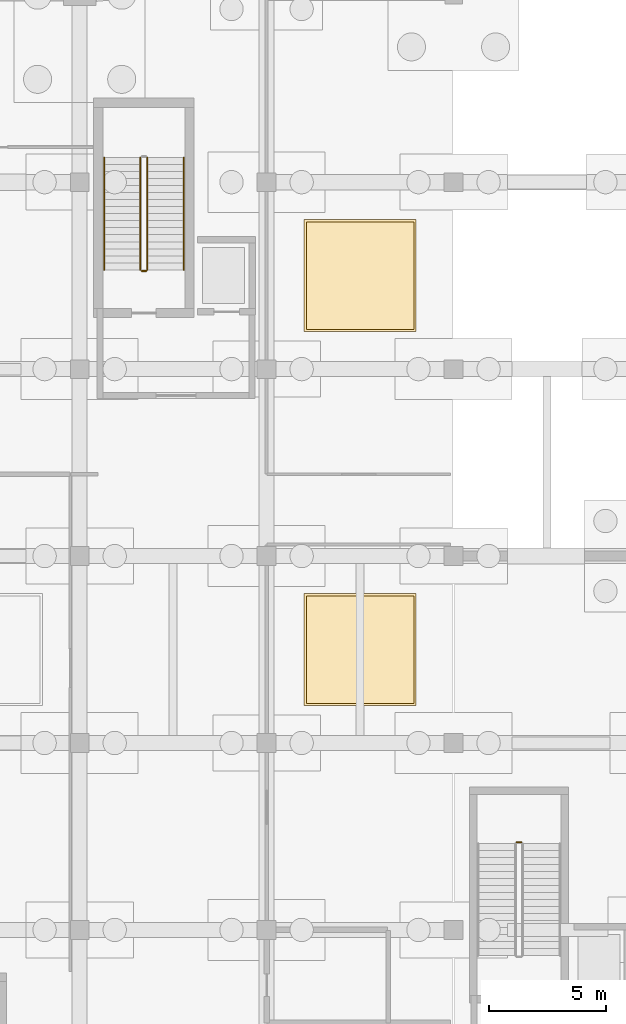
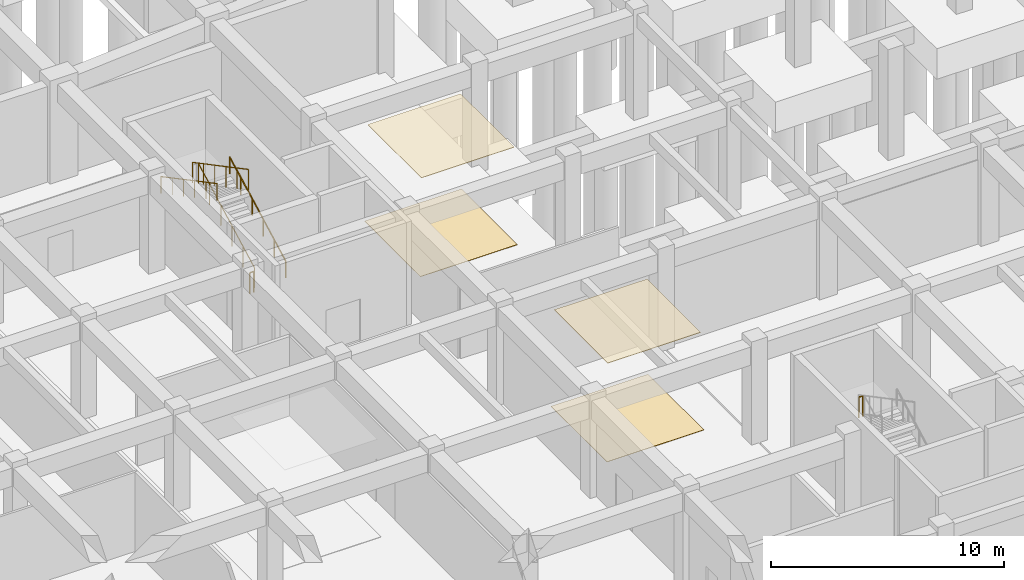
# One storey, part 36 of 45: 6 railings, 4 coverings.
"""IFC4 building model written with IfcOpenShell, lengths in metres."""

from ifc_helpers import new_model, si_unit, direction, frame, origin, origin_2d, place, context, subcontext, project, spatial, rectangle, circle, extrude, material, layer, layer_set, type_object, element, save


model = new_model("IFC4")

# Units and contexts
model_context = context("Model", 3, precision=1e-05, world=origin(), true_north=direction((0.0, 1.0)))
body_context = subcontext(model_context, "Body", "Model", "MODEL_VIEW")
ifc_project = project(units=[si_unit("LENGTHUNIT", "METRE"), si_unit("AREAUNIT", "SQUARE_METRE"), si_unit("VOLUMEUNIT", "CUBIC_METRE"), si_unit("PLANEANGLEUNIT", "RADIAN"), si_unit("MASSUNIT", "GRAM", prefix="KILO")], contexts=[model_context])

# Site, building, storey
site_placement = place(None, origin())
site = spatial("IfcSite", under=ifc_project, at=site_placement, CompositionType="ELEMENT")
building_placement = place(site_placement, origin())
building = spatial("IfcBuilding", under=site, at=building_placement, Name="Kenh Van Central Station", CompositionType="ELEMENT")
storey_placement = place(building_placement, frame((0.0, 0.0, -5.39990234375)))
storey = spatial("IfcBuildingStorey", under=building, at=storey_placement, Name="B1", CompositionType="ELEMENT", Elevation=-5.39990234375)

# Coverings
ifc_material_1 = material(Name="Perforated acoustic mineral ceiling board")
ifc_layer_1 = layer(ifc_material_1, 0.02490234375, Name="Perforated acoustic mineral ceiling board")
ifc_layer_set_1 = layer_set([ifc_layer_1], Name="Perforated acoustic mineral ceiling board")
covering_type_1 = type_object("IfcCoveringType", Name="COV-CEIL-ACOUST", PredefinedType="CEILING", material=ifc_layer_set_1)
for number, where, z_axis, x_axis, name in (
    (1, (44.0, 36.0, 5.076904296875), (0.0, 0.0, 1.0), (1.0, 0.0, 0.0), "B1 acoustic ceiling panel 005"),
    (2, (44.0, 52.0, 5.076904296875), (0.0, 0.0, 1.0), (1.0, 0.0, 0.0), "B1 acoustic ceiling panel 006"),
):
    element("IfcCovering", number, at=place(storey_placement, frame(where, z_axis=z_axis, x_axis=x_axis)), inside=storey, type_object=covering_type_1, Name=name, PredefinedType="CEILING", context=body_context, shape_type="SweptSolid", body=[
        extrude(rectangle(XDim=4.60009765625, YDim=4.60009765625, at=origin_2d()), origin(), (0.0, 0.0, 1.0), 0.02490234375),
    ])
ifc_material_2 = material(Name="Polished station granite terrazzo", Category="masonry")
ifc_layer_2 = layer(ifc_material_2, 0.02001953125, Name="Polished station granite terrazzo")
ifc_layer_set_2 = layer_set([ifc_layer_2], Name="Polished station granite terrazzo")
covering_type_2 = type_object("IfcCoveringType", Name="COV-FLR-GRANITE", PredefinedType="FLOORING", material=ifc_layer_set_2)
for number, where, z_axis, x_axis, name in (
    (3, (44.0, 36.0, 0.0), (0.0, 0.0, 1.0), (1.0, 0.0, 0.0), "B1 granite floor finish 005"),
    (4, (44.0, 52.0, 0.0), (0.0, 0.0, 1.0), (1.0, 0.0, 0.0), "B1 granite floor finish 006"),
):
    element("IfcCovering", number, at=place(storey_placement, frame(where, z_axis=z_axis, x_axis=x_axis)), inside=storey, type_object=covering_type_2, Name=name, PredefinedType="FLOORING", context=body_context, shape_type="SweptSolid", body=[
        extrude(rectangle(XDim=4.800048828125, YDim=4.800048828125, at=origin_2d()), origin(), (0.0, 0.0, 1.0), 0.02001953125),
    ])

# Railings
ifc_material_3 = material(Name="Champagne anodised aluminium", Category="aluminium")
railing_type_1 = type_object("IfcRailingType", Name="RAIL-CORE-GRD110", PredefinedType="GUARDRAIL", material=ifc_material_3)
railing_1_placement = place(storey_placement, frame((34.89990234375, 52.25, 0.15869140625)))
element("IfcRailing", 5, at=railing_1_placement, inside=storey, type_object=railing_type_1, Name="B1 ST-02 stair guard 1", PredefinedType="GUARDRAIL", context=body_context, shape_type="SweptSolid", body=[
    extrude(circle(Radius=0.02392578125, at=origin_2d()), frame((0.0, 0.0, 1.076171875), z_axis=(0.0, 0.883783542688, 0.467895981682), x_axis=(-1.0, 0.0, 0.0)), (0.0, 0.0, 1.0), 5.43115234375),
    extrude(circle(Radius=0.02099609375, at=origin_2d()), origin(), (0.0, 0.0, 1.0), 1.052001953125),
    extrude(circle(Radius=0.02099609375, at=origin_2d()), frame((0.0, 0.9599609375, 0.50830078125)), (0.0, 0.0, 1.0), 1.052001953125),
    extrude(circle(Radius=0.02099609375, at=origin_2d()), frame((0.0, 1.919921875, 1.0166015625)), (0.0, 0.0, 1.0), 1.052001953125),
    extrude(circle(Radius=0.02099609375, at=origin_2d()), frame((0.0, 2.880126953125, 1.524658203125)), (0.0, 0.0, 1.0), 1.052001953125),
    extrude(circle(Radius=0.02099609375, at=origin_2d()), frame((0.0, 3.840087890625, 2.032958984375)), (0.0, 0.0, 1.0), 1.052001953125),
    extrude(circle(Radius=0.02099609375, at=origin_2d()), frame((0.0, 4.800048828125, 2.541259765625)), (0.0, 0.0, 1.0), 1.052001953125),
])
railing_2_placement = place(storey_placement, frame((34.60009765625, 57.050048828125, 2.858642578125)))
element("IfcRailing", 6, at=railing_2_placement, inside=storey, type_object=railing_type_1, Name="B1 ST-02 stair guard 3", PredefinedType="GUARDRAIL", context=body_context, shape_type="SweptSolid", body=[
    extrude(circle(Radius=0.02392578125, at=origin_2d()), frame((0.0, 0.0, 1.076171875), z_axis=(0.0, -0.883783542688, 0.467895981682), x_axis=(1.0, 0.0, 0.0)), (0.0, 0.0, 1.0), 5.43115234375),
    extrude(circle(Radius=0.02099609375, at=origin_2d()), origin(), (0.0, 0.0, 1.0), 1.052001953125),
    extrude(circle(Radius=0.02099609375, at=origin_2d()), frame((0.0, -0.9599609375, 0.50830078125)), (0.0, 0.0, 1.0), 1.052001953125),
    extrude(circle(Radius=0.02099609375, at=origin_2d()), frame((0.0, -1.919921875, 1.0166015625)), (0.0, 0.0, 1.0), 1.052001953125),
    extrude(circle(Radius=0.02099609375, at=origin_2d()), frame((0.0, -2.880126953125, 1.524658203125)), (0.0, 0.0, 1.0), 1.052001953125),
    extrude(circle(Radius=0.02099609375, at=origin_2d()), frame((0.0, -3.840087890625, 2.032958984375)), (0.0, 0.0, 1.0), 1.052001953125),
    extrude(circle(Radius=0.02099609375, at=origin_2d()), frame((0.0, -4.800048828125, 2.541259765625)), (0.0, 0.0, 1.0), 1.052001953125),
])
railing_3_placement = place(storey_placement, frame((34.85009765625, 52.199951171875, 0.0)))
element("IfcRailing", 7, at=railing_3_placement, inside=storey, type_object=railing_type_1, Name="B1 ST-02 stair guard 4", PredefinedType="GUARDRAIL", context=body_context, shape_type="SweptSolid", body=[
    extrude(circle(Radius=0.02392578125, at=origin_2d()), frame((0.0, 0.0, 1.076171875), z_axis=(-1.0, 0.0, 0.0), x_axis=(0.0, -1.0, 0.0)), (0.0, 0.0, 1.0), 0.2001953125),
    extrude(circle(Radius=0.02099609375, at=origin_2d()), origin(), (0.0, 0.0, 1.0), 1.052001953125),
    extrude(circle(Radius=0.02099609375, at=origin_2d()), frame((-0.2001953125, 0.0, 0.0)), (0.0, 0.0, 1.0), 1.052001953125),
])
railing_4_placement = place(storey_placement, frame((50.89990234375, 27.75, 2.699951171875)))
element("IfcRailing", 8, at=railing_4_placement, inside=storey, type_object=railing_type_1, Name="B1 ST-03 stair guard 2", PredefinedType="GUARDRAIL", context=body_context, shape_type="SweptSolid", body=[
    extrude(circle(Radius=0.02392578125, at=origin_2d()), frame((0.0, 0.0, 1.076171875), z_axis=(-1.0, 0.0, 0.0), x_axis=(0.0, -1.0, 0.0)), (0.0, 0.0, 1.0), 0.199951171875),
    extrude(circle(Radius=0.02099609375, at=origin_2d()), origin(), (0.0, 0.0, 1.0), 1.052001953125),
    extrude(circle(Radius=0.02099609375, at=origin_2d()), frame((-0.199951171875, 0.0, 0.0)), (0.0, 0.0, 1.0), 1.052001953125),
])
railing_type_2 = type_object("IfcRailingType", Name="RAIL-CORE-HND90", PredefinedType="HANDRAIL", material=ifc_material_3)
railing_5_placement = place(storey_placement, frame((36.449951171875, 52.25, 0.15869140625)))
element("IfcRailing", 9, at=railing_5_placement, inside=storey, type_object=railing_type_2, Name="B1 ST-02 stair handrail 1", PredefinedType="HANDRAIL", context=body_context, shape_type="SweptSolid", body=[
    extrude(circle(Radius=0.02392578125, at=origin_2d()), frame((0.0, 0.0, 0.8759765625), z_axis=(0.0, 0.883783542688, 0.467895981682), x_axis=(-1.0, 0.0, 0.0)), (0.0, 0.0, 1.0), 5.43115234375),
    extrude(circle(Radius=0.02099609375, at=origin_2d()), origin(), (0.0, 0.0, 1.0), 0.851806640625),
    extrude(circle(Radius=0.02099609375, at=origin_2d()), frame((0.0, 0.9599609375, 0.50830078125)), (0.0, 0.0, 1.0), 0.851806640625),
    extrude(circle(Radius=0.02099609375, at=origin_2d()), frame((0.0, 1.919921875, 1.0166015625)), (0.0, 0.0, 1.0), 0.851806640625),
    extrude(circle(Radius=0.02099609375, at=origin_2d()), frame((0.0, 2.880126953125, 1.524658203125)), (0.0, 0.0, 1.0), 0.851806640625),
    extrude(circle(Radius=0.02099609375, at=origin_2d()), frame((0.0, 3.840087890625, 2.032958984375)), (0.0, 0.0, 1.0), 0.851806640625),
    extrude(circle(Radius=0.02099609375, at=origin_2d()), frame((0.0, 4.800048828125, 2.541259765625)), (0.0, 0.0, 1.0), 0.851806640625),
])
railing_6_placement = place(storey_placement, frame((33.050048828125, 57.050048828125, 2.858642578125)))
element("IfcRailing", 10, at=railing_6_placement, inside=storey, type_object=railing_type_2, Name="B1 ST-02 stair handrail 2", PredefinedType="HANDRAIL", context=body_context, shape_type="SweptSolid", body=[
    extrude(circle(Radius=0.02392578125, at=origin_2d()), frame((0.0, 0.0, 0.8759765625), z_axis=(0.0, -0.883783542688, 0.467895981682), x_axis=(1.0, 0.0, 0.0)), (0.0, 0.0, 1.0), 5.43115234375),
    extrude(circle(Radius=0.02099609375, at=origin_2d()), origin(), (0.0, 0.0, 1.0), 0.851806640625),
    extrude(circle(Radius=0.02099609375, at=origin_2d()), frame((0.0, -0.9599609375, 0.50830078125)), (0.0, 0.0, 1.0), 0.851806640625),
    extrude(circle(Radius=0.02099609375, at=origin_2d()), frame((0.0, -1.919921875, 1.0166015625)), (0.0, 0.0, 1.0), 0.851806640625),
    extrude(circle(Radius=0.02099609375, at=origin_2d()), frame((0.0, -2.880126953125, 1.524658203125)), (0.0, 0.0, 1.0), 0.851806640625),
    extrude(circle(Radius=0.02099609375, at=origin_2d()), frame((0.0, -3.840087890625, 2.032958984375)), (0.0, 0.0, 1.0), 0.851806640625),
    extrude(circle(Radius=0.02099609375, at=origin_2d()), frame((0.0, -4.800048828125, 2.541259765625)), (0.0, 0.0, 1.0), 0.851806640625),
])

save(model, "model.ifc")
